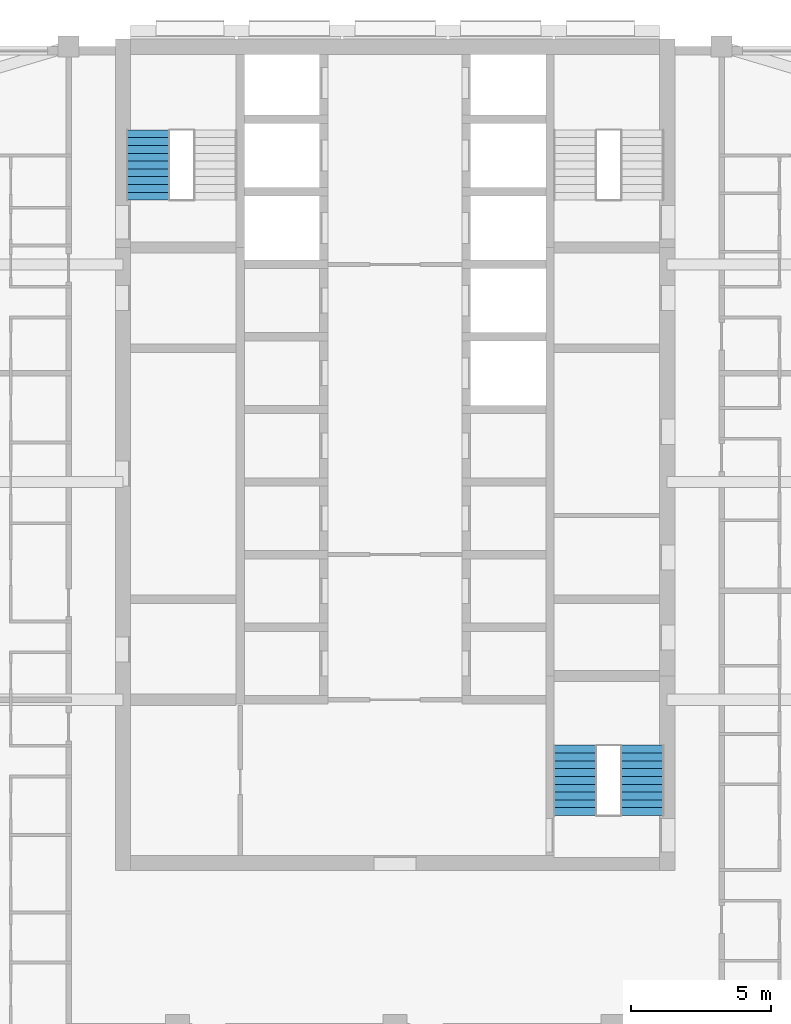
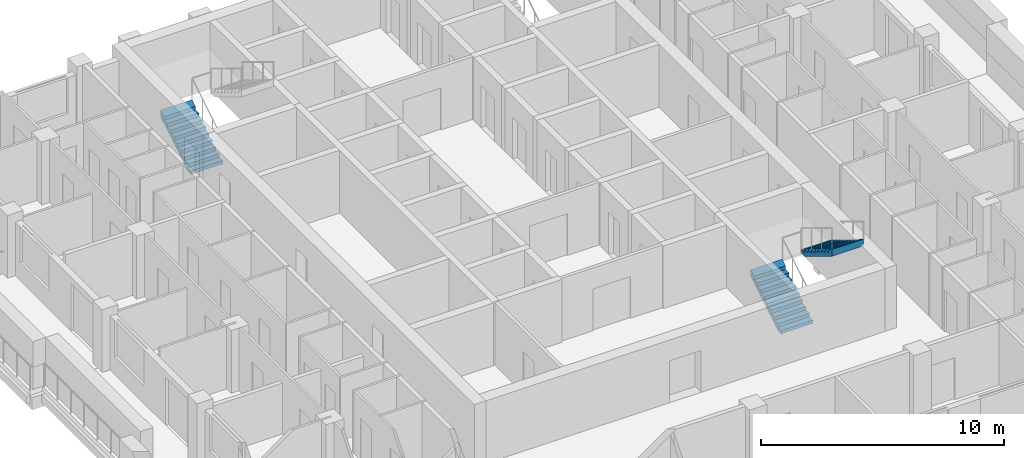
# One storey, part 10 of 13: 3 stair flights, 2 elements without a shape of their own.
"""IFC4 building model written with IfcOpenShell, lengths in metres."""

import ifcopenshell
import ifcopenshell.guid

model = None  # the IFC model being written
_history = None  # IfcOwnerHistory: only IFC2X3 demands one
_inside = {}  # id of a spatial element -> (the spatial element, [elements in it])
_under = {}  # id of a project, library or spatial element -> (it, [spatial elements below it])
_declared = {}  # id of a project -> (the project, [libraries it declares])
_typed = {}  # id of a type object -> (the type object, [elements of that type])
_made_of = {}  # id of a material, layer set ... -> (it, [elements and type objects made of it])


def new_model(schema):
    """Start an empty IFC model of exactly this schema.

    Asked for "IFC4X3", IfcOpenShell would pick the latest addendum, in which some entities
    have other attributes; the version numbers below select the first issue.
    IFC2X3 requires an IfcOwnerHistory on every rooted entity: one is made here for all.
    """
    global model, _history
    if schema == "IFC4X3":
        model = ifcopenshell.file(schema_version=(4, 3, 0, 0))
    else:
        model = ifcopenshell.file(schema=schema)
    _inside.clear()
    _under.clear()
    _declared.clear()
    _typed.clear()
    _made_of.clear()
    _history = None
    if model.schema == "IFC2X3":
        org = make("IfcOrganization", Name="unknown")
        user = make(
            "IfcPersonAndOrganization",
            ThePerson=make("IfcPerson", FamilyName="unknown"),
            TheOrganization=org,
        )
        app = make(
            "IfcApplication",
            ApplicationDeveloper=org,
            Version="unknown",
            ApplicationFullName="unknown",
            ApplicationIdentifier="unknown",
        )
        _history = make(
            "IfcOwnerHistory",
            OwningUser=user,
            OwningApplication=app,
            ChangeAction="ADDED",
            CreationDate=0,
        )
    return model


def make(cls, **values):
    """One entity of the class cls with the attributes given. An attribute that is None is left unset."""
    return model.create_entity(
        cls, **{name: value for name, value in values.items() if value is not None}
    )


def rooted(cls, **values):
    """An entity with a GlobalId (a new one), such as an element, a storey or a relation."""
    return make(cls, GlobalId=ifcopenshell.guid.new(), OwnerHistory=_history, **values)


def si_unit(unit_type, name, prefix=None):
    """IfcSIUnit, for example si_unit("LENGTHUNIT", "METRE", prefix="MILLI")."""
    return make("IfcSIUnit", UnitType=unit_type, Prefix=prefix, Name=name)


def assignment(units):
    """IfcUnitAssignment: the units of a project."""
    return None if units is None else make("IfcUnitAssignment", Units=units)


def point(xyz):
    """IfcCartesianPoint."""
    return None if xyz is None else make("IfcCartesianPoint", Coordinates=xyz)


def direction(xyz):
    """IfcDirection."""
    return None if xyz is None else make("IfcDirection", DirectionRatios=xyz)


def frame(location, z_axis=None, x_axis=None):
    """IfcAxis2Placement3D, a coordinate frame: its origin and axes. An axis left out is left unset."""
    return make(
        "IfcAxis2Placement3D",
        Location=point(location),
        Axis=direction(z_axis),
        RefDirection=direction(x_axis),
    )


def origin():
    """The frame at (0, 0, 0) with its axes left unset."""
    return frame((0.0, 0.0, 0.0))


def place(relative_to, where):
    """IfcLocalPlacement: puts the frame where relative to a parent placement (None: the world)."""
    return make(
        "IfcLocalPlacement", PlacementRelTo=relative_to, RelativePlacement=where
    )


def context(
    kind, dimensions, precision=None, world=None, true_north=None, identifier=None
):
    """IfcGeometricRepresentationContext, for example the 3D "Model" context."""
    return make(
        "IfcGeometricRepresentationContext",
        ContextIdentifier=identifier,
        ContextType=kind,
        CoordinateSpaceDimension=dimensions,
        Precision=precision,
        WorldCoordinateSystem=world,
        TrueNorth=true_north,
    )


def subcontext(parent, identifier, kind, view, scale=None):
    """IfcGeometricRepresentationSubContext, for example "Body" below "Model"."""
    return make(
        "IfcGeometricRepresentationSubContext",
        ContextIdentifier=identifier,
        ContextType=kind,
        ParentContext=parent,
        TargetScale=scale,
        TargetView=view,
    )


def project(units=None, contexts=None):
    """IfcProject with its units and contexts."""
    return rooted(
        "IfcProject",
        Name="project",
        RepresentationContexts=contexts,
        UnitsInContext=assignment(units),
    )


def spatial(cls, under=None, at=None, **own):
    """A site, building, storey or space (cls), placed at a placement, below another one or the project."""
    s = rooted(cls, ObjectPlacement=at, **own)
    if under is not None:
        _under.setdefault(under.id(), (under, []))[1].append(s)
    return s


def point_list(points):
    """IfcCartesianPointList2D or 3D."""
    cls = (
        "IfcCartesianPointList2D" if len(points[0]) == 2 else "IfcCartesianPointList3D"
    )
    return make(cls, CoordList=points)


def triangles(points, corners, closed=None, point_numbers=None):
    """IfcTriangulatedFaceSet: each triangle names its three corners, points numbered from 1."""
    return make(
        "IfcTriangulatedFaceSet",
        Coordinates=point_list(points),
        Closed=closed,
        CoordIndex=corners,
        PnIndex=point_numbers,
    )


def shape(context_of_items, identifier, shape_type, items):
    """IfcShapeRepresentation: the items that make up one representation, for example the "Body"."""
    return make(
        "IfcShapeRepresentation",
        ContextOfItems=context_of_items,
        RepresentationIdentifier=identifier,
        RepresentationType=shape_type,
        Items=items,
    )


def material(Name=None, Category=None):
    """IfcMaterial."""
    return make("IfcMaterial", Name=Name, Category=Category)


def made_of(thing, what):
    """Note that an element or type object is made of a material, layer set ...; save() writes the relation."""
    if what is not None:
        _made_of.setdefault(what.id(), (what, []))[1].append(thing)
    return thing


def type_object(cls, material=None, **own):
    """A type object (cls), such as IfcWallType, which elements share."""
    return made_of(rooted(cls, **own), material)


def element(
    cls,
    number,
    at=None,
    inside=None,
    cuts=None,
    type_object=None,
    material=None,
    context=None,
    identifier="Body",
    shape_type=None,
    held_by="IfcProductDefinitionShape",
    body=None,
    shapes=None,
    **own,
):
    """One element of the class cls, such as IfcWall. Its Tag is "e" and its number.

    at: its placement. inside: the storey or other place that contains it. cuts: it is an
    opening in that element (IfcRelVoidsElement). A single representation is given by context,
    identifier, shape_type and body (its items); several are given by shapes. held_by: the class
    of the entity that holds the representations. save() writes the other relations.
    """
    e = rooted(cls, Tag="e%d" % number, ObjectPlacement=at, **own)
    if body is not None:
        shapes = [shape(context, identifier, shape_type, body)]
    if shapes is not None:
        e.Representation = make(held_by, Representations=shapes)
    if inside is not None:
        _inside.setdefault(inside.id(), (inside, []))[1].append(e)
    if cuts is not None:
        rooted(
            "IfcRelVoidsElement", RelatingBuildingElement=cuts, RelatedOpeningElement=e
        )
    if type_object is not None:
        _typed.setdefault(type_object.id(), (type_object, []))[1].append(e)
    return made_of(e, material)


def aggregate(whole, parts):
    """IfcRelAggregates: a whole, such as a stair, and the parts it consists of."""
    return rooted("IfcRelAggregates", RelatingObject=whole, RelatedObjects=parts)


def save(model, path):
    """Write the relations noted so far, then the file.

    IfcRelAggregates (storeys below a building ...), IfcRelContainedInSpatialStructure (elements
    in a storey), IfcRelDefinesByType, IfcRelAssociatesMaterial and IfcRelDeclares: one each for
    every whole, place, type object, material and project.
    """
    for whole, parts in _under.values():
        aggregate(whole, parts)
    for where, things in _inside.values():
        rooted(
            "IfcRelContainedInSpatialStructure",
            RelatedElements=things,
            RelatingStructure=where,
        )
    for kind, things in _typed.values():
        rooted("IfcRelDefinesByType", RelatedObjects=things, RelatingType=kind)
    for what, things in _made_of.values():
        rooted("IfcRelAssociatesMaterial", RelatedObjects=things, RelatingMaterial=what)
    for by, libraries in _declared.values():
        rooted("IfcRelDeclares", RelatingContext=by, RelatedDefinitions=libraries)
    model.write(path)


model = new_model("IFC4")

# Units and contexts
model_context = context("Model", 3, precision=1e-05, world=origin(), true_north=direction((0.0, 1.0)))
body_context = subcontext(model_context, "Body", "Model", "MODEL_VIEW")
ifc_project = project(units=[si_unit("LENGTHUNIT", "METRE"), si_unit("AREAUNIT", "SQUARE_METRE"), si_unit("VOLUMEUNIT", "CUBIC_METRE"), si_unit("PLANEANGLEUNIT", "RADIAN"), si_unit("MASSUNIT", "GRAM", prefix="KILO")], contexts=[model_context])

# Site, building, storey
site_placement = place(None, origin())
site = spatial("IfcSite", under=ifc_project, at=site_placement, CompositionType="ELEMENT")
building_placement = place(site_placement, origin())
building = spatial("IfcBuilding", under=site, at=building_placement, Name="Ludao Terraces", CompositionType="ELEMENT")
storey_placement = place(building_placement, frame((0.0, 0.0, 152.0)))
storey = spatial("IfcBuildingStorey", under=building, at=storey_placement, Name="L41", CompositionType="ELEMENT", Elevation=152.0)

# Stair, stair flight
ifc_material = material(Name="Concrete C40", Category="concrete")
stair_type = type_object("IfcStairType", Name="INT Stair", PredefinedType="HALF_TURN_STAIR", material=ifc_material)
stair_1_placement = place(storey_placement, origin())
stair_1 = element("IfcStair", 1, at=stair_1_placement, inside=storey, type_object=stair_type, Name="EXIT STAIR 1", PredefinedType="HALF_TURN_STAIR")
stair_flight_type = type_object("IfcStairFlightType", Name="INT Stair flight", PredefinedType="STRAIGHT", material=ifc_material)
stair_flight_1_placement = place(storey_placement, frame((76.14990234375, 79.0, 0.0), z_axis=(0.0, 0.0, 1.0), x_axis=(0.0, 1.0, 0.0)))
stair_flight_1 = element("IfcStairFlight", 2, at=stair_flight_1_placement, type_object=stair_flight_type, Name="ST1 flight 1", NumberOfRisers=10, NumberOfTreads=9, PredefinedType="STRAIGHT", RiserHeight=0.17, TreadLength=0.28, context=body_context, shape_type="Tessellation", body=[
    triangles([(0.0, -0.75, 0.0), (0.0, -0.5, 0.0), (0.0, -0.25, 0.0), (0.0, 0.0, 0.0), (0.0, 0.25, 0.0), (0.0, 0.5, 0.0), (0.0, 0.75, 0.0), (0.0, -0.75, 0.169921875), (0.0, -0.5, 0.169921875), (0.0, -0.25, 0.169921875), (0.0, 0.0, 0.169921875), (0.0, 0.25, 0.169921875), (0.0, 0.5, 0.169921875), (0.0, 0.75, 0.169921875), (0.280029296875, -0.75, 0.169921875), (0.280029296875, -0.5, 0.169921875), (0.280029296875, -0.25, 0.169921875), (0.280029296875, 0.0, 0.169921875), (0.280029296875, 0.25, 0.169921875), (0.280029296875, 0.5, 0.169921875), (0.280029296875, 0.75, 0.169921875), (0.280029296875, -0.75, 0.340087890625), (0.280029296875, -0.5, 0.340087890625), (0.280029296875, -0.25, 0.340087890625), (0.280029296875, 0.0, 0.340087890625), (0.280029296875, 0.25, 0.340087890625), (0.280029296875, 0.5, 0.340087890625), (0.280029296875, 0.75, 0.340087890625), (0.56005859375, -0.75, 0.340087890625), (0.56005859375, -0.5, 0.340087890625), (0.56005859375, -0.25, 0.340087890625), (0.56005859375, 0.0, 0.340087890625), (0.56005859375, 0.25, 0.340087890625), (0.56005859375, 0.5, 0.340087890625), (0.56005859375, 0.75, 0.340087890625), (0.56005859375, -0.75, 0.510009765625), (0.56005859375, -0.5, 0.510009765625), (0.56005859375, -0.25, 0.510009765625), (0.56005859375, 0.0, 0.510009765625), (0.56005859375, 0.25, 0.510009765625), (0.56005859375, 0.5, 0.510009765625), (0.56005859375, 0.75, 0.510009765625), (0.840087890625, -0.75, 0.510009765625), (0.840087890625, -0.5, 0.510009765625), (0.840087890625, -0.25, 0.510009765625), (0.840087890625, 0.0, 0.510009765625), (0.840087890625, 0.25, 0.510009765625), (0.840087890625, 0.5, 0.510009765625), (0.840087890625, 0.75, 0.510009765625), (0.840087890625, -0.75, 0.679931640625), (0.840087890625, -0.5, 0.679931640625), (0.840087890625, -0.25, 0.679931640625), (0.840087890625, 0.0, 0.679931640625), (0.840087890625, 0.25, 0.679931640625), (0.840087890625, 0.5, 0.679931640625), (0.840087890625, 0.75, 0.679931640625), (1.1201171875, -0.75, 0.679931640625), (1.1201171875, -0.5, 0.679931640625), (1.1201171875, -0.25, 0.679931640625), (1.1201171875, 0.0, 0.679931640625), (1.1201171875, 0.25, 0.679931640625), (1.1201171875, 0.5, 0.679931640625), (1.1201171875, 0.75, 0.679931640625), (1.1201171875, -0.75, 0.85009765625), (1.1201171875, -0.5, 0.85009765625), (1.1201171875, -0.25, 0.85009765625), (1.1201171875, 0.0, 0.85009765625), (1.1201171875, 0.25, 0.85009765625), (1.1201171875, 0.5, 0.85009765625), (1.1201171875, 0.75, 0.85009765625), (1.39990234375, -0.75, 0.85009765625), (1.39990234375, -0.5, 0.85009765625), (1.39990234375, -0.25, 0.85009765625), (1.39990234375, 0.0, 0.85009765625), (1.39990234375, 0.25, 0.85009765625), (1.39990234375, 0.5, 0.85009765625), (1.39990234375, 0.75, 0.85009765625), (1.39990234375, -0.75, 1.02001953125), (1.39990234375, -0.5, 1.02001953125), (1.39990234375, -0.25, 1.02001953125), (1.39990234375, 0.0, 1.02001953125), (1.39990234375, 0.25, 1.02001953125), (1.39990234375, 0.5, 1.02001953125), (1.39990234375, 0.75, 1.02001953125), (1.679931640625, -0.75, 1.02001953125), (1.679931640625, -0.5, 1.02001953125), (1.679931640625, -0.25, 1.02001953125), (1.679931640625, 0.0, 1.02001953125), (1.679931640625, 0.25, 1.02001953125), (1.679931640625, 0.5, 1.02001953125), (1.679931640625, 0.75, 1.02001953125), (1.679931640625, -0.75, 1.18994140625), (1.679931640625, -0.5, 1.18994140625), (1.679931640625, -0.25, 1.18994140625), (1.679931640625, 0.0, 1.18994140625), (1.679931640625, 0.25, 1.18994140625), (1.679931640625, 0.5, 1.18994140625), (1.679931640625, 0.75, 1.18994140625), (1.9599609375, -0.75, 1.18994140625), (1.9599609375, -0.5, 1.18994140625), (1.9599609375, -0.25, 1.18994140625), (1.9599609375, 0.0, 1.18994140625), (1.9599609375, 0.25, 1.18994140625), (1.9599609375, 0.5, 1.18994140625), (1.9599609375, 0.75, 1.18994140625), (1.9599609375, -0.75, 1.360107421875), (1.9599609375, -0.5, 1.360107421875), (1.9599609375, -0.25, 1.360107421875), (1.9599609375, 0.0, 1.360107421875), (1.9599609375, 0.25, 1.360107421875), (1.9599609375, 0.5, 1.360107421875), (1.9599609375, 0.75, 1.360107421875), (2.239990234375, -0.75, 1.360107421875), (2.239990234375, -0.5, 1.360107421875), (2.239990234375, -0.25, 1.360107421875), (2.239990234375, 0.0, 1.360107421875), (2.239990234375, 0.25, 1.360107421875), (2.239990234375, 0.5, 1.360107421875), (2.239990234375, 0.75, 1.360107421875), (2.239990234375, -0.75, 1.530029296875), (2.239990234375, -0.5, 1.530029296875), (2.239990234375, -0.25, 1.530029296875), (2.239990234375, 0.0, 1.530029296875), (2.239990234375, 0.25, 1.530029296875), (2.239990234375, 0.5, 1.530029296875), (2.239990234375, 0.75, 1.530029296875), (2.52001953125, -0.75, 1.699951171875), (2.52001953125, -0.5, 1.699951171875), (2.52001953125, -0.25, 1.699951171875), (2.52001953125, 0.0, 1.699951171875), (2.52001953125, 0.25, 1.699951171875), (2.52001953125, 0.5, 1.699951171875), (2.52001953125, 0.75, 1.699951171875), (2.52001953125, -0.75, 1.354736328125), (2.52001953125, -0.5, 1.354736328125), (2.52001953125, -0.25, 1.354736328125), (2.52001953125, 0.0, 1.354736328125), (2.52001953125, 0.25, 1.354736328125), (2.52001953125, 0.5, 1.354736328125), (2.52001953125, 0.75, 1.354736328125), (0.288818359375, -0.75, 0.0), (0.288818359375, -0.5, 0.0), (0.288818359375, -0.25, 0.0), (0.288818359375, 0.0, 0.0), (0.288818359375, 0.25, 0.0), (0.288818359375, 0.5, 0.0), (0.288818359375, 0.75, 0.0)], [[1, 141, 134], [7, 140, 147], [134, 127, 120], [140, 126, 133], [134, 120, 113], [140, 119, 126], [134, 113, 106], [140, 112, 119], [134, 106, 99], [140, 105, 112], [99, 92, 85], [105, 91, 98], [134, 99, 85], [140, 91, 105], [85, 78, 71], [91, 77, 84], [134, 85, 71], [140, 77, 91], [71, 64, 57], [77, 63, 70], [134, 71, 57], [140, 63, 77], [57, 50, 43], [63, 49, 56], [134, 57, 43], [140, 49, 63], [43, 36, 29], [49, 35, 42], [134, 43, 29], [140, 35, 49], [29, 22, 15], [35, 21, 28], [134, 29, 15], [140, 21, 35], [1, 134, 15], [7, 21, 140], [15, 8, 1], [21, 7, 14], [1, 9, 2], [1, 8, 9], [2, 10, 3], [2, 9, 10], [3, 11, 4], [3, 10, 11], [4, 12, 5], [4, 11, 12], [5, 13, 6], [5, 12, 13], [6, 14, 7], [6, 13, 14], [8, 16, 9], [8, 15, 16], [9, 17, 10], [9, 16, 17], [10, 18, 11], [10, 17, 18], [11, 19, 12], [11, 18, 19], [12, 20, 13], [12, 19, 20], [13, 21, 14], [13, 20, 21], [15, 23, 16], [15, 22, 23], [16, 24, 17], [16, 23, 24], [17, 25, 18], [17, 24, 25], [18, 26, 19], [18, 25, 26], [19, 27, 20], [19, 26, 27], [20, 28, 21], [20, 27, 28], [22, 30, 23], [22, 29, 30], [23, 31, 24], [23, 30, 31], [24, 32, 25], [24, 31, 32], [25, 33, 26], [25, 32, 33], [26, 34, 27], [26, 33, 34], [27, 35, 28], [27, 34, 35], [29, 37, 30], [29, 36, 37], [30, 38, 31], [30, 37, 38], [31, 39, 32], [31, 38, 39], [32, 40, 33], [32, 39, 40], [33, 41, 34], [33, 40, 41], [34, 42, 35], [34, 41, 42], [36, 44, 37], [36, 43, 44], [37, 45, 38], [37, 44, 45], [38, 46, 39], [38, 45, 46], [39, 47, 40], [39, 46, 47], [40, 48, 41], [40, 47, 48], [41, 49, 42], [41, 48, 49], [43, 51, 44], [43, 50, 51], [44, 52, 45], [44, 51, 52], [45, 53, 46], [45, 52, 53], [46, 54, 47], [46, 53, 54], [47, 55, 48], [47, 54, 55], [48, 56, 49], [48, 55, 56], [50, 58, 51], [50, 57, 58], [51, 59, 52], [51, 58, 59], [52, 60, 53], [52, 59, 60], [53, 61, 54], [53, 60, 61], [54, 62, 55], [54, 61, 62], [55, 63, 56], [55, 62, 63], [57, 65, 58], [57, 64, 65], [58, 66, 59], [58, 65, 66], [59, 67, 60], [59, 66, 67], [60, 68, 61], [60, 67, 68], [61, 69, 62], [61, 68, 69], [62, 70, 63], [62, 69, 70], [64, 72, 65], [64, 71, 72], [65, 73, 66], [65, 72, 73], [66, 74, 67], [66, 73, 74], [67, 75, 68], [67, 74, 75], [68, 76, 69], [68, 75, 76], [69, 77, 70], [69, 76, 77], [71, 79, 72], [71, 78, 79], [72, 80, 73], [72, 79, 80], [73, 81, 74], [73, 80, 81], [74, 82, 75], [74, 81, 82], [75, 83, 76], [75, 82, 83], [76, 84, 77], [76, 83, 84], [78, 86, 79], [78, 85, 86], [79, 87, 80], [79, 86, 87], [80, 88, 81], [80, 87, 88], [81, 89, 82], [81, 88, 89], [82, 90, 83], [82, 89, 90], [83, 91, 84], [83, 90, 91], [85, 93, 86], [85, 92, 93], [86, 94, 87], [86, 93, 94], [87, 95, 88], [87, 94, 95], [88, 96, 89], [88, 95, 96], [89, 97, 90], [89, 96, 97], [90, 98, 91], [90, 97, 98], [92, 100, 93], [92, 99, 100], [93, 101, 94], [93, 100, 101], [94, 102, 95], [94, 101, 102], [95, 103, 96], [95, 102, 103], [96, 104, 97], [96, 103, 104], [97, 105, 98], [97, 104, 105], [99, 107, 100], [99, 106, 107], [100, 108, 101], [100, 107, 108], [101, 109, 102], [101, 108, 109], [102, 110, 103], [102, 109, 110], [103, 111, 104], [103, 110, 111], [104, 112, 105], [104, 111, 112], [106, 114, 107], [106, 113, 114], [107, 115, 108], [107, 114, 115], [108, 116, 109], [108, 115, 116], [109, 117, 110], [109, 116, 117], [110, 118, 111], [110, 117, 118], [111, 119, 112], [111, 118, 119], [113, 121, 114], [113, 120, 121], [114, 122, 115], [114, 121, 122], [115, 123, 116], [115, 122, 123], [116, 124, 117], [116, 123, 124], [117, 125, 118], [117, 124, 125], [118, 126, 119], [118, 125, 126], [120, 128, 121], [120, 127, 128], [121, 129, 122], [121, 128, 129], [122, 130, 123], [122, 129, 130], [123, 131, 124], [123, 130, 131], [124, 132, 125], [124, 131, 132], [125, 133, 126], [125, 132, 133], [127, 135, 128], [127, 134, 135], [128, 136, 129], [128, 135, 136], [129, 137, 130], [129, 136, 137], [130, 138, 131], [130, 137, 138], [131, 139, 132], [131, 138, 139], [132, 140, 133], [132, 139, 140], [134, 142, 135], [134, 141, 142], [135, 143, 136], [135, 142, 143], [136, 144, 137], [136, 143, 144], [137, 145, 138], [137, 144, 145], [138, 146, 139], [138, 145, 146], [139, 147, 140], [139, 146, 147], [141, 2, 142], [141, 1, 2], [142, 3, 143], [142, 2, 3], [143, 4, 144], [143, 3, 4], [144, 5, 145], [144, 4, 5], [145, 6, 146], [145, 5, 6], [146, 7, 147], [146, 6, 7]], closed=True),
])
aggregate(stair_1, [stair_flight_1])

# Stair, stair flights
stair_2_placement = place(storey_placement, origin())
stair_2 = element("IfcStair", 3, at=stair_2_placement, inside=storey, type_object=stair_type, Name="EXIT STAIR 3", PredefinedType="HALF_TURN_STAIR")
stair_flight_2_placement = place(storey_placement, frame((91.449951171875, 56.949951171875, 0.0), z_axis=(0.0, 0.0, 1.0), x_axis=(0.0, 1.0, 0.0)))
stair_flight_2 = element("IfcStairFlight", 4, at=stair_flight_2_placement, type_object=stair_flight_type, Name="ST3 flight 1", NumberOfRisers=10, NumberOfTreads=9, PredefinedType="STRAIGHT", RiserHeight=0.17, TreadLength=0.28, context=body_context, shape_type="Tessellation", body=[
    triangles([(0.0, -0.75, 0.0), (0.0, -0.5, 0.0), (0.0, -0.25, 0.0), (0.0, 0.0, 0.0), (0.0, 0.25, 0.0), (0.0, 0.5, 0.0), (0.0, 0.75, 0.0), (0.0, -0.75, 0.169921875), (0.0, -0.5, 0.169921875), (0.0, -0.25, 0.169921875), (0.0, 0.0, 0.169921875), (0.0, 0.25, 0.169921875), (0.0, 0.5, 0.169921875), (0.0, 0.75, 0.169921875), (0.280029296875, -0.75, 0.169921875), (0.280029296875, -0.5, 0.169921875), (0.280029296875, -0.25, 0.169921875), (0.280029296875, 0.0, 0.169921875), (0.280029296875, 0.25, 0.169921875), (0.280029296875, 0.5, 0.169921875), (0.280029296875, 0.75, 0.169921875), (0.280029296875, -0.75, 0.340087890625), (0.280029296875, -0.5, 0.340087890625), (0.280029296875, -0.25, 0.340087890625), (0.280029296875, 0.0, 0.340087890625), (0.280029296875, 0.25, 0.340087890625), (0.280029296875, 0.5, 0.340087890625), (0.280029296875, 0.75, 0.340087890625), (0.56005859375, -0.75, 0.340087890625), (0.56005859375, -0.5, 0.340087890625), (0.56005859375, -0.25, 0.340087890625), (0.56005859375, 0.0, 0.340087890625), (0.56005859375, 0.25, 0.340087890625), (0.56005859375, 0.5, 0.340087890625), (0.56005859375, 0.75, 0.340087890625), (0.56005859375, -0.75, 0.510009765625), (0.56005859375, -0.5, 0.510009765625), (0.56005859375, -0.25, 0.510009765625), (0.56005859375, 0.0, 0.510009765625), (0.56005859375, 0.25, 0.510009765625), (0.56005859375, 0.5, 0.510009765625), (0.56005859375, 0.75, 0.510009765625), (0.840087890625, -0.75, 0.510009765625), (0.840087890625, -0.5, 0.510009765625), (0.840087890625, -0.25, 0.510009765625), (0.840087890625, 0.0, 0.510009765625), (0.840087890625, 0.25, 0.510009765625), (0.840087890625, 0.5, 0.510009765625), (0.840087890625, 0.75, 0.510009765625), (0.840087890625, -0.75, 0.679931640625), (0.840087890625, -0.5, 0.679931640625), (0.840087890625, -0.25, 0.679931640625), (0.840087890625, 0.0, 0.679931640625), (0.840087890625, 0.25, 0.679931640625), (0.840087890625, 0.5, 0.679931640625), (0.840087890625, 0.75, 0.679931640625), (1.1201171875, -0.75, 0.679931640625), (1.1201171875, -0.5, 0.679931640625), (1.1201171875, -0.25, 0.679931640625), (1.1201171875, 0.0, 0.679931640625), (1.1201171875, 0.25, 0.679931640625), (1.1201171875, 0.5, 0.679931640625), (1.1201171875, 0.75, 0.679931640625), (1.1201171875, -0.75, 0.85009765625), (1.1201171875, -0.5, 0.85009765625), (1.1201171875, -0.25, 0.85009765625), (1.1201171875, 0.0, 0.85009765625), (1.1201171875, 0.25, 0.85009765625), (1.1201171875, 0.5, 0.85009765625), (1.1201171875, 0.75, 0.85009765625), (1.39990234375, -0.75, 0.85009765625), (1.39990234375, -0.5, 0.85009765625), (1.39990234375, -0.25, 0.85009765625), (1.39990234375, 0.0, 0.85009765625), (1.39990234375, 0.25, 0.85009765625), (1.39990234375, 0.5, 0.85009765625), (1.39990234375, 0.75, 0.85009765625), (1.39990234375, -0.75, 1.02001953125), (1.39990234375, -0.5, 1.02001953125), (1.39990234375, -0.25, 1.02001953125), (1.39990234375, 0.0, 1.02001953125), (1.39990234375, 0.25, 1.02001953125), (1.39990234375, 0.5, 1.02001953125), (1.39990234375, 0.75, 1.02001953125), (1.679931640625, -0.75, 1.02001953125), (1.679931640625, -0.5, 1.02001953125), (1.679931640625, -0.25, 1.02001953125), (1.679931640625, 0.0, 1.02001953125), (1.679931640625, 0.25, 1.02001953125), (1.679931640625, 0.5, 1.02001953125), (1.679931640625, 0.75, 1.02001953125), (1.679931640625, -0.75, 1.18994140625), (1.679931640625, -0.5, 1.18994140625), (1.679931640625, -0.25, 1.18994140625), (1.679931640625, 0.0, 1.18994140625), (1.679931640625, 0.25, 1.18994140625), (1.679931640625, 0.5, 1.18994140625), (1.679931640625, 0.75, 1.18994140625), (1.9599609375, -0.75, 1.18994140625), (1.9599609375, -0.5, 1.18994140625), (1.9599609375, -0.25, 1.18994140625), (1.9599609375, 0.0, 1.18994140625), (1.9599609375, 0.25, 1.18994140625), (1.9599609375, 0.5, 1.18994140625), (1.9599609375, 0.75, 1.18994140625), (1.9599609375, -0.75, 1.360107421875), (1.9599609375, -0.5, 1.360107421875), (1.9599609375, -0.25, 1.360107421875), (1.9599609375, 0.0, 1.360107421875), (1.9599609375, 0.25, 1.360107421875), (1.9599609375, 0.5, 1.360107421875), (1.9599609375, 0.75, 1.360107421875), (2.239990234375, -0.75, 1.360107421875), (2.239990234375, -0.5, 1.360107421875), (2.239990234375, -0.25, 1.360107421875), (2.239990234375, 0.0, 1.360107421875), (2.239990234375, 0.25, 1.360107421875), (2.239990234375, 0.5, 1.360107421875), (2.239990234375, 0.75, 1.360107421875), (2.239990234375, -0.75, 1.530029296875), (2.239990234375, -0.5, 1.530029296875), (2.239990234375, -0.25, 1.530029296875), (2.239990234375, 0.0, 1.530029296875), (2.239990234375, 0.25, 1.530029296875), (2.239990234375, 0.5, 1.530029296875), (2.239990234375, 0.75, 1.530029296875), (2.52001953125, -0.75, 1.699951171875), (2.52001953125, -0.5, 1.699951171875), (2.52001953125, -0.25, 1.699951171875), (2.52001953125, 0.0, 1.699951171875), (2.52001953125, 0.25, 1.699951171875), (2.52001953125, 0.5, 1.699951171875), (2.52001953125, 0.75, 1.699951171875), (2.52001953125, -0.75, 1.354736328125), (2.52001953125, -0.5, 1.354736328125), (2.52001953125, -0.25, 1.354736328125), (2.52001953125, 0.0, 1.354736328125), (2.52001953125, 0.25, 1.354736328125), (2.52001953125, 0.5, 1.354736328125), (2.52001953125, 0.75, 1.354736328125), (0.288818359375, -0.75, 0.0), (0.288818359375, -0.5, 0.0), (0.288818359375, -0.25, 0.0), (0.288818359375, 0.0, 0.0), (0.288818359375, 0.25, 0.0), (0.288818359375, 0.5, 0.0), (0.288818359375, 0.75, 0.0)], [[1, 141, 134], [7, 140, 147], [134, 127, 120], [140, 126, 133], [134, 120, 113], [140, 119, 126], [134, 113, 106], [140, 112, 119], [134, 106, 99], [140, 105, 112], [99, 92, 85], [105, 91, 98], [134, 99, 85], [140, 91, 105], [85, 78, 71], [91, 77, 84], [134, 85, 71], [140, 77, 91], [71, 64, 57], [77, 63, 70], [134, 71, 57], [140, 63, 77], [57, 50, 43], [63, 49, 56], [134, 57, 43], [140, 49, 63], [43, 36, 29], [49, 35, 42], [134, 43, 29], [140, 35, 49], [29, 22, 15], [35, 21, 28], [134, 29, 15], [140, 21, 35], [1, 134, 15], [7, 21, 140], [15, 8, 1], [21, 7, 14], [1, 9, 2], [1, 8, 9], [2, 10, 3], [2, 9, 10], [3, 11, 4], [3, 10, 11], [4, 12, 5], [4, 11, 12], [5, 13, 6], [5, 12, 13], [6, 14, 7], [6, 13, 14], [8, 16, 9], [8, 15, 16], [9, 17, 10], [9, 16, 17], [10, 18, 11], [10, 17, 18], [11, 19, 12], [11, 18, 19], [12, 20, 13], [12, 19, 20], [13, 21, 14], [13, 20, 21], [15, 23, 16], [15, 22, 23], [16, 24, 17], [16, 23, 24], [17, 25, 18], [17, 24, 25], [18, 26, 19], [18, 25, 26], [19, 27, 20], [19, 26, 27], [20, 28, 21], [20, 27, 28], [22, 30, 23], [22, 29, 30], [23, 31, 24], [23, 30, 31], [24, 32, 25], [24, 31, 32], [25, 33, 26], [25, 32, 33], [26, 34, 27], [26, 33, 34], [27, 35, 28], [27, 34, 35], [29, 37, 30], [29, 36, 37], [30, 38, 31], [30, 37, 38], [31, 39, 32], [31, 38, 39], [32, 40, 33], [32, 39, 40], [33, 41, 34], [33, 40, 41], [34, 42, 35], [34, 41, 42], [36, 44, 37], [36, 43, 44], [37, 45, 38], [37, 44, 45], [38, 46, 39], [38, 45, 46], [39, 47, 40], [39, 46, 47], [40, 48, 41], [40, 47, 48], [41, 49, 42], [41, 48, 49], [43, 51, 44], [43, 50, 51], [44, 52, 45], [44, 51, 52], [45, 53, 46], [45, 52, 53], [46, 54, 47], [46, 53, 54], [47, 55, 48], [47, 54, 55], [48, 56, 49], [48, 55, 56], [50, 58, 51], [50, 57, 58], [51, 59, 52], [51, 58, 59], [52, 60, 53], [52, 59, 60], [53, 61, 54], [53, 60, 61], [54, 62, 55], [54, 61, 62], [55, 63, 56], [55, 62, 63], [57, 65, 58], [57, 64, 65], [58, 66, 59], [58, 65, 66], [59, 67, 60], [59, 66, 67], [60, 68, 61], [60, 67, 68], [61, 69, 62], [61, 68, 69], [62, 70, 63], [62, 69, 70], [64, 72, 65], [64, 71, 72], [65, 73, 66], [65, 72, 73], [66, 74, 67], [66, 73, 74], [67, 75, 68], [67, 74, 75], [68, 76, 69], [68, 75, 76], [69, 77, 70], [69, 76, 77], [71, 79, 72], [71, 78, 79], [72, 80, 73], [72, 79, 80], [73, 81, 74], [73, 80, 81], [74, 82, 75], [74, 81, 82], [75, 83, 76], [75, 82, 83], [76, 84, 77], [76, 83, 84], [78, 86, 79], [78, 85, 86], [79, 87, 80], [79, 86, 87], [80, 88, 81], [80, 87, 88], [81, 89, 82], [81, 88, 89], [82, 90, 83], [82, 89, 90], [83, 91, 84], [83, 90, 91], [85, 93, 86], [85, 92, 93], [86, 94, 87], [86, 93, 94], [87, 95, 88], [87, 94, 95], [88, 96, 89], [88, 95, 96], [89, 97, 90], [89, 96, 97], [90, 98, 91], [90, 97, 98], [92, 100, 93], [92, 99, 100], [93, 101, 94], [93, 100, 101], [94, 102, 95], [94, 101, 102], [95, 103, 96], [95, 102, 103], [96, 104, 97], [96, 103, 104], [97, 105, 98], [97, 104, 105], [99, 107, 100], [99, 106, 107], [100, 108, 101], [100, 107, 108], [101, 109, 102], [101, 108, 109], [102, 110, 103], [102, 109, 110], [103, 111, 104], [103, 110, 111], [104, 112, 105], [104, 111, 112], [106, 114, 107], [106, 113, 114], [107, 115, 108], [107, 114, 115], [108, 116, 109], [108, 115, 116], [109, 117, 110], [109, 116, 117], [110, 118, 111], [110, 117, 118], [111, 119, 112], [111, 118, 119], [113, 121, 114], [113, 120, 121], [114, 122, 115], [114, 121, 122], [115, 123, 116], [115, 122, 123], [116, 124, 117], [116, 123, 124], [117, 125, 118], [117, 124, 125], [118, 126, 119], [118, 125, 126], [120, 128, 121], [120, 127, 128], [121, 129, 122], [121, 128, 129], [122, 130, 123], [122, 129, 130], [123, 131, 124], [123, 130, 131], [124, 132, 125], [124, 131, 132], [125, 133, 126], [125, 132, 133], [127, 135, 128], [127, 134, 135], [128, 136, 129], [128, 135, 136], [129, 137, 130], [129, 136, 137], [130, 138, 131], [130, 137, 138], [131, 139, 132], [131, 138, 139], [132, 140, 133], [132, 139, 140], [134, 142, 135], [134, 141, 142], [135, 143, 136], [135, 142, 143], [136, 144, 137], [136, 143, 144], [137, 145, 138], [137, 144, 145], [138, 146, 139], [138, 145, 146], [139, 147, 140], [139, 146, 147], [141, 2, 142], [141, 1, 2], [142, 3, 143], [142, 2, 3], [143, 4, 144], [143, 3, 4], [144, 5, 145], [144, 4, 5], [145, 6, 146], [145, 5, 6], [146, 7, 147], [146, 6, 7]], closed=True),
])
stair_flight_3_placement = place(storey_placement, frame((93.85009765625, 59.469970703125, 1.699951171875), z_axis=(0.0, 0.0, 1.0), x_axis=(0.0, -1.0, 0.0)))
stair_flight_3 = element("IfcStairFlight", 5, at=stair_flight_3_placement, type_object=stair_flight_type, Name="ST3 flight 2", NumberOfRisers=10, NumberOfTreads=9, PredefinedType="STRAIGHT", RiserHeight=0.17, TreadLength=0.28, context=body_context, shape_type="Tessellation", body=[
    triangles([(0.0, -0.75, 0.0), (0.0, -0.5, 0.0), (0.0, -0.25, 0.0), (0.0, 0.0, 0.0), (0.0, 0.25, 0.0), (0.0, 0.5, 0.0), (0.0, 0.75, 0.0), (0.0, -0.75, 0.169921875), (0.0, -0.5, 0.169921875), (0.0, -0.25, 0.169921875), (0.0, 0.0, 0.169921875), (0.0, 0.25, 0.169921875), (0.0, 0.5, 0.169921875), (0.0, 0.75, 0.169921875), (0.280029296875, -0.75, 0.169921875), (0.280029296875, -0.5, 0.169921875), (0.280029296875, -0.25, 0.169921875), (0.280029296875, 0.0, 0.169921875), (0.280029296875, 0.25, 0.169921875), (0.280029296875, 0.5, 0.169921875), (0.280029296875, 0.75, 0.169921875), (0.280029296875, -0.75, 0.340087890625), (0.280029296875, -0.5, 0.340087890625), (0.280029296875, -0.25, 0.340087890625), (0.280029296875, 0.0, 0.340087890625), (0.280029296875, 0.25, 0.340087890625), (0.280029296875, 0.5, 0.340087890625), (0.280029296875, 0.75, 0.340087890625), (0.56005859375, -0.75, 0.340087890625), (0.56005859375, -0.5, 0.340087890625), (0.56005859375, -0.25, 0.340087890625), (0.56005859375, 0.0, 0.340087890625), (0.56005859375, 0.25, 0.340087890625), (0.56005859375, 0.5, 0.340087890625), (0.56005859375, 0.75, 0.340087890625), (0.56005859375, -0.75, 0.510009765625), (0.56005859375, -0.5, 0.510009765625), (0.56005859375, -0.25, 0.510009765625), (0.56005859375, 0.0, 0.510009765625), (0.56005859375, 0.25, 0.510009765625), (0.56005859375, 0.5, 0.510009765625), (0.56005859375, 0.75, 0.510009765625), (0.840087890625, -0.75, 0.510009765625), (0.840087890625, -0.5, 0.510009765625), (0.840087890625, -0.25, 0.510009765625), (0.840087890625, 0.0, 0.510009765625), (0.840087890625, 0.25, 0.510009765625), (0.840087890625, 0.5, 0.510009765625), (0.840087890625, 0.75, 0.510009765625), (0.840087890625, -0.75, 0.679931640625), (0.840087890625, -0.5, 0.679931640625), (0.840087890625, -0.25, 0.679931640625), (0.840087890625, 0.0, 0.679931640625), (0.840087890625, 0.25, 0.679931640625), (0.840087890625, 0.5, 0.679931640625), (0.840087890625, 0.75, 0.679931640625), (1.1201171875, -0.75, 0.679931640625), (1.1201171875, -0.5, 0.679931640625), (1.1201171875, -0.25, 0.679931640625), (1.1201171875, 0.0, 0.679931640625), (1.1201171875, 0.25, 0.679931640625), (1.1201171875, 0.5, 0.679931640625), (1.1201171875, 0.75, 0.679931640625), (1.1201171875, -0.75, 0.85009765625), (1.1201171875, -0.5, 0.85009765625), (1.1201171875, -0.25, 0.85009765625), (1.1201171875, 0.0, 0.85009765625), (1.1201171875, 0.25, 0.85009765625), (1.1201171875, 0.5, 0.85009765625), (1.1201171875, 0.75, 0.85009765625), (1.39990234375, -0.75, 0.85009765625), (1.39990234375, -0.5, 0.85009765625), (1.39990234375, -0.25, 0.85009765625), (1.39990234375, 0.0, 0.85009765625), (1.39990234375, 0.25, 0.85009765625), (1.39990234375, 0.5, 0.85009765625), (1.39990234375, 0.75, 0.85009765625), (1.39990234375, -0.75, 1.02001953125), (1.39990234375, -0.5, 1.02001953125), (1.39990234375, -0.25, 1.02001953125), (1.39990234375, 0.0, 1.02001953125), (1.39990234375, 0.25, 1.02001953125), (1.39990234375, 0.5, 1.02001953125), (1.39990234375, 0.75, 1.02001953125), (1.679931640625, -0.75, 1.02001953125), (1.679931640625, -0.5, 1.02001953125), (1.679931640625, -0.25, 1.02001953125), (1.679931640625, 0.0, 1.02001953125), (1.679931640625, 0.25, 1.02001953125), (1.679931640625, 0.5, 1.02001953125), (1.679931640625, 0.75, 1.02001953125), (1.679931640625, -0.75, 1.18994140625), (1.679931640625, -0.5, 1.18994140625), (1.679931640625, -0.25, 1.18994140625), (1.679931640625, 0.0, 1.18994140625), (1.679931640625, 0.25, 1.18994140625), (1.679931640625, 0.5, 1.18994140625), (1.679931640625, 0.75, 1.18994140625), (1.9599609375, -0.75, 1.18994140625), (1.9599609375, -0.5, 1.18994140625), (1.9599609375, -0.25, 1.18994140625), (1.9599609375, 0.0, 1.18994140625), (1.9599609375, 0.25, 1.18994140625), (1.9599609375, 0.5, 1.18994140625), (1.9599609375, 0.75, 1.18994140625), (1.9599609375, -0.75, 1.360107421875), (1.9599609375, -0.5, 1.360107421875), (1.9599609375, -0.25, 1.360107421875), (1.9599609375, 0.0, 1.360107421875), (1.9599609375, 0.25, 1.360107421875), (1.9599609375, 0.5, 1.360107421875), (1.9599609375, 0.75, 1.360107421875), (2.239990234375, -0.75, 1.360107421875), (2.239990234375, -0.5, 1.360107421875), (2.239990234375, -0.25, 1.360107421875), (2.239990234375, 0.0, 1.360107421875), (2.239990234375, 0.25, 1.360107421875), (2.239990234375, 0.5, 1.360107421875), (2.239990234375, 0.75, 1.360107421875), (2.239990234375, -0.75, 1.530029296875), (2.239990234375, -0.5, 1.530029296875), (2.239990234375, -0.25, 1.530029296875), (2.239990234375, 0.0, 1.530029296875), (2.239990234375, 0.25, 1.530029296875), (2.239990234375, 0.5, 1.530029296875), (2.239990234375, 0.75, 1.530029296875), (2.52001953125, -0.75, 1.699951171875), (2.52001953125, -0.5, 1.699951171875), (2.52001953125, -0.25, 1.699951171875), (2.52001953125, 0.0, 1.699951171875), (2.52001953125, 0.25, 1.699951171875), (2.52001953125, 0.5, 1.699951171875), (2.52001953125, 0.75, 1.699951171875), (2.52001953125, -0.75, 1.354736328125), (2.52001953125, -0.5, 1.354736328125), (2.52001953125, -0.25, 1.354736328125), (2.52001953125, 0.0, 1.354736328125), (2.52001953125, 0.25, 1.354736328125), (2.52001953125, 0.5, 1.354736328125), (2.52001953125, 0.75, 1.354736328125), (0.288818359375, -0.75, 0.0), (0.288818359375, -0.5, 0.0), (0.288818359375, -0.25, 0.0), (0.288818359375, 0.0, 0.0), (0.288818359375, 0.25, 0.0), (0.288818359375, 0.5, 0.0), (0.288818359375, 0.75, 0.0)], [[1, 141, 134], [7, 140, 147], [134, 127, 120], [140, 126, 133], [134, 120, 113], [140, 119, 126], [134, 113, 106], [140, 112, 119], [134, 106, 99], [140, 105, 112], [99, 92, 85], [105, 91, 98], [134, 99, 85], [140, 91, 105], [85, 78, 71], [91, 77, 84], [134, 85, 71], [140, 77, 91], [71, 64, 57], [77, 63, 70], [134, 71, 57], [140, 63, 77], [57, 50, 43], [63, 49, 56], [134, 57, 43], [140, 49, 63], [43, 36, 29], [49, 35, 42], [134, 43, 29], [140, 35, 49], [29, 22, 15], [35, 21, 28], [134, 29, 15], [140, 21, 35], [1, 134, 15], [7, 21, 140], [15, 8, 1], [21, 7, 14], [1, 9, 2], [1, 8, 9], [2, 10, 3], [2, 9, 10], [3, 11, 4], [3, 10, 11], [4, 12, 5], [4, 11, 12], [5, 13, 6], [5, 12, 13], [6, 14, 7], [6, 13, 14], [8, 16, 9], [8, 15, 16], [9, 17, 10], [9, 16, 17], [10, 18, 11], [10, 17, 18], [11, 19, 12], [11, 18, 19], [12, 20, 13], [12, 19, 20], [13, 21, 14], [13, 20, 21], [15, 23, 16], [15, 22, 23], [16, 24, 17], [16, 23, 24], [17, 25, 18], [17, 24, 25], [18, 26, 19], [18, 25, 26], [19, 27, 20], [19, 26, 27], [20, 28, 21], [20, 27, 28], [22, 30, 23], [22, 29, 30], [23, 31, 24], [23, 30, 31], [24, 32, 25], [24, 31, 32], [25, 33, 26], [25, 32, 33], [26, 34, 27], [26, 33, 34], [27, 35, 28], [27, 34, 35], [29, 37, 30], [29, 36, 37], [30, 38, 31], [30, 37, 38], [31, 39, 32], [31, 38, 39], [32, 40, 33], [32, 39, 40], [33, 41, 34], [33, 40, 41], [34, 42, 35], [34, 41, 42], [36, 44, 37], [36, 43, 44], [37, 45, 38], [37, 44, 45], [38, 46, 39], [38, 45, 46], [39, 47, 40], [39, 46, 47], [40, 48, 41], [40, 47, 48], [41, 49, 42], [41, 48, 49], [43, 51, 44], [43, 50, 51], [44, 52, 45], [44, 51, 52], [45, 53, 46], [45, 52, 53], [46, 54, 47], [46, 53, 54], [47, 55, 48], [47, 54, 55], [48, 56, 49], [48, 55, 56], [50, 58, 51], [50, 57, 58], [51, 59, 52], [51, 58, 59], [52, 60, 53], [52, 59, 60], [53, 61, 54], [53, 60, 61], [54, 62, 55], [54, 61, 62], [55, 63, 56], [55, 62, 63], [57, 65, 58], [57, 64, 65], [58, 66, 59], [58, 65, 66], [59, 67, 60], [59, 66, 67], [60, 68, 61], [60, 67, 68], [61, 69, 62], [61, 68, 69], [62, 70, 63], [62, 69, 70], [64, 72, 65], [64, 71, 72], [65, 73, 66], [65, 72, 73], [66, 74, 67], [66, 73, 74], [67, 75, 68], [67, 74, 75], [68, 76, 69], [68, 75, 76], [69, 77, 70], [69, 76, 77], [71, 79, 72], [71, 78, 79], [72, 80, 73], [72, 79, 80], [73, 81, 74], [73, 80, 81], [74, 82, 75], [74, 81, 82], [75, 83, 76], [75, 82, 83], [76, 84, 77], [76, 83, 84], [78, 86, 79], [78, 85, 86], [79, 87, 80], [79, 86, 87], [80, 88, 81], [80, 87, 88], [81, 89, 82], [81, 88, 89], [82, 90, 83], [82, 89, 90], [83, 91, 84], [83, 90, 91], [85, 93, 86], [85, 92, 93], [86, 94, 87], [86, 93, 94], [87, 95, 88], [87, 94, 95], [88, 96, 89], [88, 95, 96], [89, 97, 90], [89, 96, 97], [90, 98, 91], [90, 97, 98], [92, 100, 93], [92, 99, 100], [93, 101, 94], [93, 100, 101], [94, 102, 95], [94, 101, 102], [95, 103, 96], [95, 102, 103], [96, 104, 97], [96, 103, 104], [97, 105, 98], [97, 104, 105], [99, 107, 100], [99, 106, 107], [100, 108, 101], [100, 107, 108], [101, 109, 102], [101, 108, 109], [102, 110, 103], [102, 109, 110], [103, 111, 104], [103, 110, 111], [104, 112, 105], [104, 111, 112], [106, 114, 107], [106, 113, 114], [107, 115, 108], [107, 114, 115], [108, 116, 109], [108, 115, 116], [109, 117, 110], [109, 116, 117], [110, 118, 111], [110, 117, 118], [111, 119, 112], [111, 118, 119], [113, 121, 114], [113, 120, 121], [114, 122, 115], [114, 121, 122], [115, 123, 116], [115, 122, 123], [116, 124, 117], [116, 123, 124], [117, 125, 118], [117, 124, 125], [118, 126, 119], [118, 125, 126], [120, 128, 121], [120, 127, 128], [121, 129, 122], [121, 128, 129], [122, 130, 123], [122, 129, 130], [123, 131, 124], [123, 130, 131], [124, 132, 125], [124, 131, 132], [125, 133, 126], [125, 132, 133], [127, 135, 128], [127, 134, 135], [128, 136, 129], [128, 135, 136], [129, 137, 130], [129, 136, 137], [130, 138, 131], [130, 137, 138], [131, 139, 132], [131, 138, 139], [132, 140, 133], [132, 139, 140], [134, 142, 135], [134, 141, 142], [135, 143, 136], [135, 142, 143], [136, 144, 137], [136, 143, 144], [137, 145, 138], [137, 144, 145], [138, 146, 139], [138, 145, 146], [139, 147, 140], [139, 146, 147], [141, 2, 142], [141, 1, 2], [142, 3, 143], [142, 2, 3], [143, 4, 144], [143, 3, 4], [144, 5, 145], [144, 4, 5], [145, 6, 146], [145, 5, 6], [146, 7, 147], [146, 6, 7]], closed=True),
])
aggregate(stair_2, [stair_flight_2, stair_flight_3])

save(model, "model.ifc")
